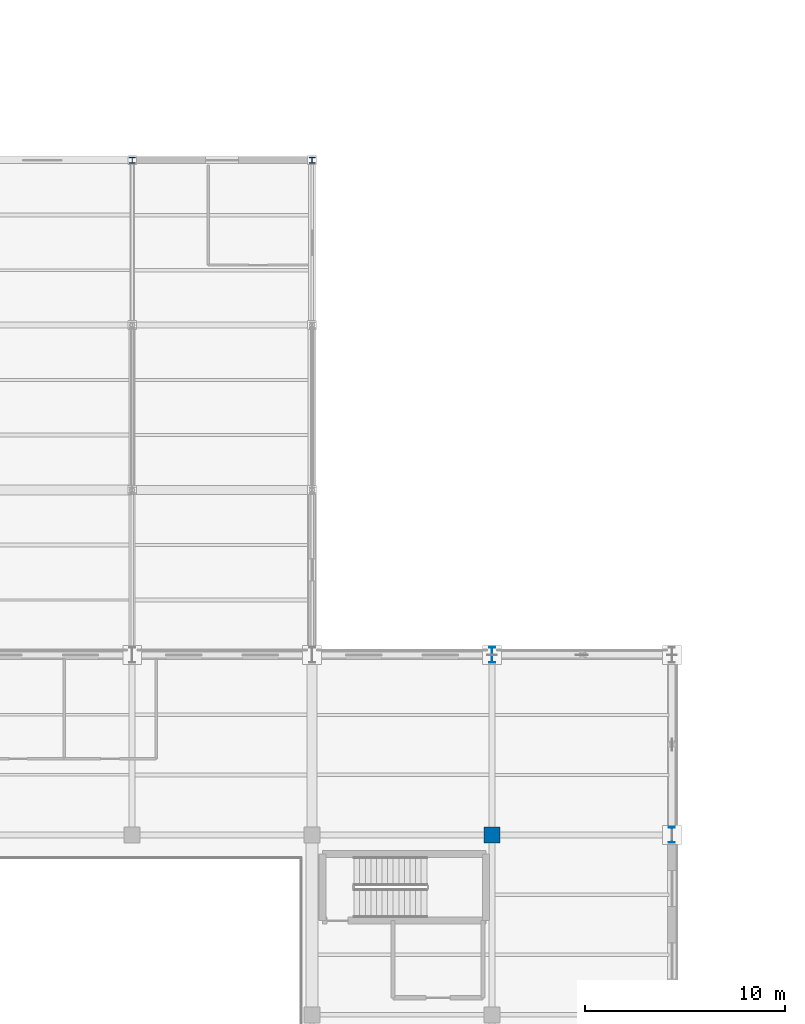
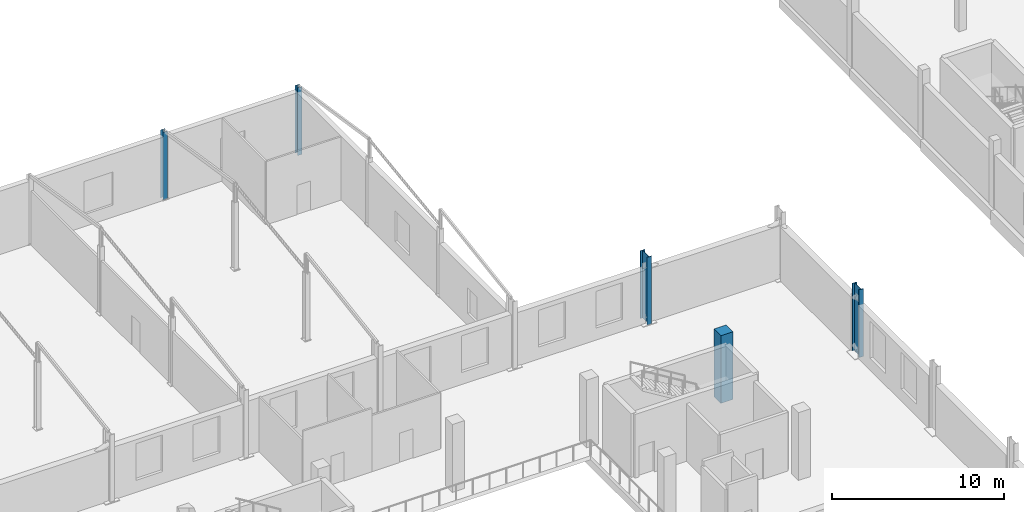
# One storey, part 6 of 54: 5 columns.
"""IFC4 building model written with IfcOpenShell, lengths in metres."""

from ifc_helpers import new_model, si_unit, direction, frame, origin, origin_2d, place, context, subcontext, project, spatial, rectangle, i_section, extrude, material, material_profile, profile_set, type_object, element, save


model = new_model("IFC4")

# Units and contexts
model_context = context("Model", 3, precision=1e-05, world=origin(), true_north=direction((0.0, 1.0)))
body_context = subcontext(model_context, "Body", "Model", "MODEL_VIEW")
ifc_project = project(units=[si_unit("LENGTHUNIT", "METRE"), si_unit("AREAUNIT", "SQUARE_METRE"), si_unit("VOLUMEUNIT", "CUBIC_METRE"), si_unit("PLANEANGLEUNIT", "RADIAN"), si_unit("MASSUNIT", "GRAM", prefix="KILO")], contexts=[model_context])

# Site, building, storey
site_placement = place(None, origin())
site = spatial("IfcSite", under=ifc_project, at=site_placement, CompositionType="ELEMENT")
building_placement = place(site_placement, origin())
building = spatial("IfcBuilding", under=site, at=building_placement, Name="Sundgate Opera House", CompositionType="ELEMENT")
storey_placement = place(building_placement, frame((0.0, 0.0, 16.800048828125)))
storey = spatial("IfcBuildingStorey", under=building, at=storey_placement, Name="L03", CompositionType="ELEMENT", Elevation=16.800048828125)

# Columns
ifc_material_1 = material(Name="Concrete C40/50", Category="concrete")
ifc_material_profile_1 = material_profile(ifc_material_1, rectangle(XDim=0.800048828125, YDim=0.800048828125, at=origin_2d()), Name="RC 800x800")
ifc_profile_set_1 = profile_set([ifc_material_profile_1], Name="Concrete C40/50")
column_type_1 = type_object("IfcColumnType", Name="CL-RC-800", PredefinedType="COLUMN", material=ifc_profile_set_1)
column_placement = place(storey_placement, frame((72.0, 78.0, 0.0), z_axis=(0.0, 0.0, 1.0), x_axis=(1.0, 0.0, 0.0)))
element("IfcColumn", 1, at=column_placement, inside=storey, type_object=column_type_1, Name="L03 Column C0495", PredefinedType="COLUMN", context=body_context, shape_type="SweptSolid", body=[
    extrude(rectangle(XDim=0.800048828125, YDim=0.800048828125, at=origin_2d()), origin(), (0.0, 0.0, 1.0), 4.800048828125),
])
ifc_material_2 = material(Name="Steel S355J2", Category="steel")
ifc_material_profile_2 = material_profile(ifc_material_2, i_section(OverallWidth=0.300048828125, OverallDepth=0.300048828125, WebThickness=0.010986328125, FlangeThickness=0.01904296875, at=origin_2d()), Name="HEB 300")
ifc_profile_set_2 = profile_set([ifc_material_profile_2], Name="Steel S355J2")
column_type_2 = type_object("IfcColumnType", Name="CL-STL-300", PredefinedType="COLUMN", material=ifc_profile_set_2)
for number, where, z_axis, x_axis, name in (
    (2, (54.0, 111.75, 0.0), (0.0, 0.0, 1.0), (1.0, 0.0, 0.0), "L03 Column C0391"),
    (3, (63.0, 111.75, 0.0), (0.0, 0.0, 1.0), (1.0, 0.0, 0.0), "L03 Column C0452"),
):
    element("IfcColumn", number, at=place(storey_placement, frame(where, z_axis=z_axis, x_axis=x_axis)), inside=storey, type_object=column_type_2, Name=name, PredefinedType="COLUMN", context=body_context, shape_type="SweptSolid", body=[
        extrude(i_section(OverallWidth=0.300048828125, OverallDepth=0.300048828125, WebThickness=0.010986328125, FlangeThickness=0.01904296875, at=origin_2d()), origin(), (0.0, 0.0, 1.0), 4.800048828125),
    ])
ifc_material_3 = material(Name="Steel S355J2", Category="steel")
ifc_material_profile_3 = material_profile(ifc_material_3, i_section(OverallWidth=0.300048828125, OverallDepth=0.800048828125, WebThickness=0.017578125, FlangeThickness=0.032958984375, at=origin_2d()), Name="HEB 800")
ifc_profile_set_3 = profile_set([ifc_material_profile_3], Name="Steel S355J2")
column_type_3 = type_object("IfcColumnType", Name="CL-STL-800", PredefinedType="COLUMN", material=ifc_profile_set_3)
for number, where, z_axis, x_axis, name in (
    (4, (72.0, 87.0, 0.0), (0.0, 0.0, 1.0), (1.0, 0.0, 0.0), "L03 Column C0501"),
    (5, (81.0, 78.0, 0.0), (0.0, 0.0, 1.0), (1.0, 0.0, 0.0), "L03 Column C0558"),
):
    element("IfcColumn", number, at=place(storey_placement, frame(where, z_axis=z_axis, x_axis=x_axis)), inside=storey, type_object=column_type_3, Name=name, PredefinedType="COLUMN", context=body_context, shape_type="SweptSolid", body=[
        extrude(i_section(OverallWidth=0.300048828125, OverallDepth=0.800048828125, WebThickness=0.017578125, FlangeThickness=0.032958984375, at=origin_2d()), origin(), (0.0, 0.0, 1.0), 4.800048828125),
    ])

save(model, "model.ifc")
